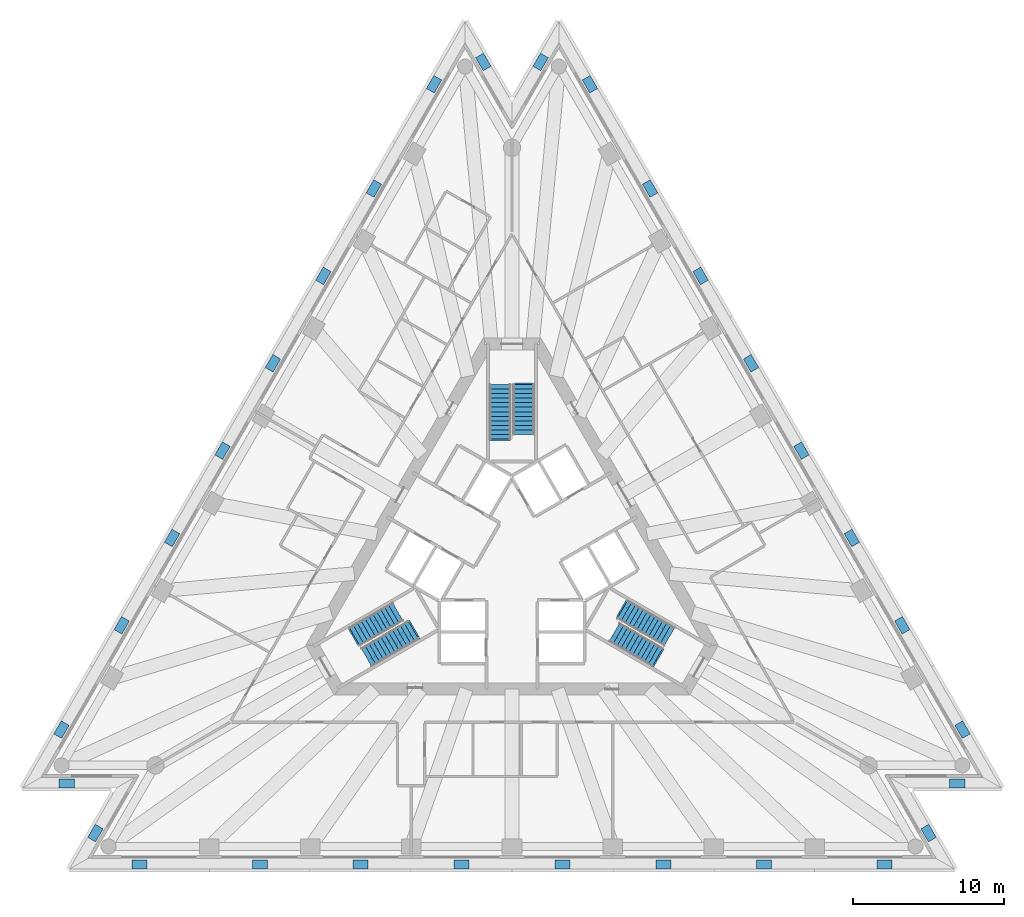
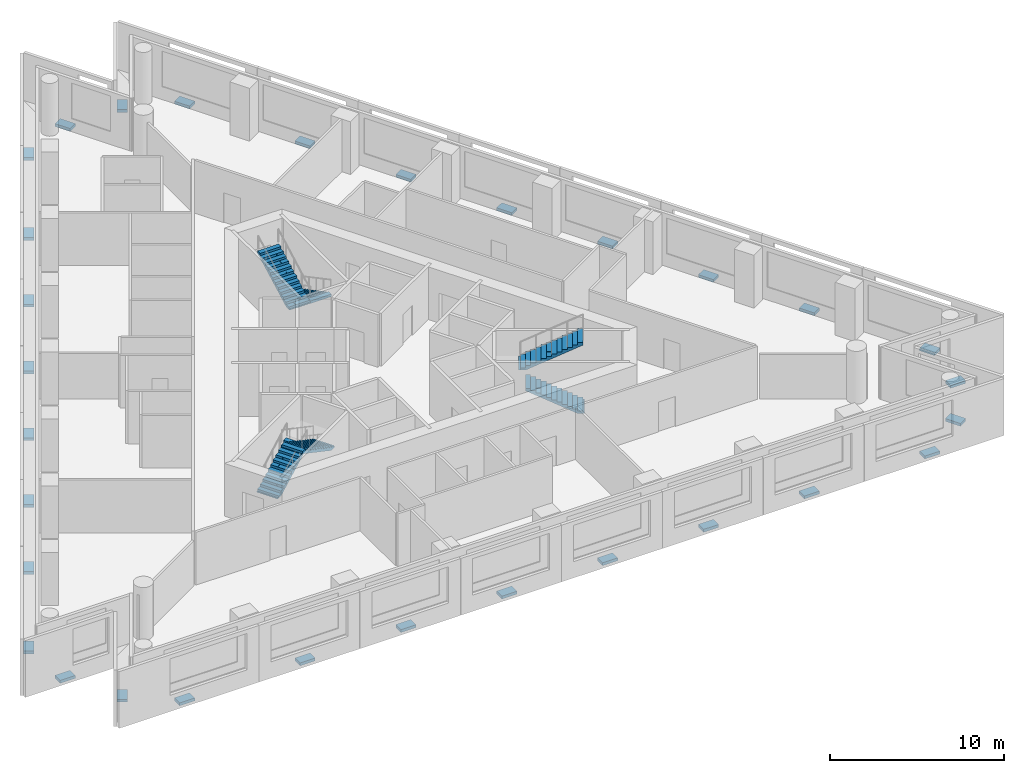
# One storey, part 7 of 9: 30 discrete accessories, 6 stair flights, 3 elements without a shape of their own.
"""IFC4 building model written with IfcOpenShell, lengths in metres."""

from ifc_helpers import new_model, si_unit, direction, frame, origin, origin_2d, place, context, subcontext, project, spatial, polyline, rectangle, outline, extrude, material, type_object, element, aggregate, save


model = new_model("IFC4")

# Units and contexts
model_context = context("Model", 3, precision=1e-05, world=origin(), true_north=direction((0.0, 1.0)))
body_context = subcontext(model_context, "Body", "Model", "MODEL_VIEW")
ifc_project = project(units=[si_unit("LENGTHUNIT", "METRE"), si_unit("AREAUNIT", "SQUARE_METRE"), si_unit("VOLUMEUNIT", "CUBIC_METRE"), si_unit("PLANEANGLEUNIT", "RADIAN"), si_unit("MASSUNIT", "GRAM", prefix="KILO")], contexts=[model_context])

# Site, building, storey
site_placement = place(None, origin())
site = spatial("IfcSite", under=ifc_project, at=site_placement, CompositionType="ELEMENT")
building_placement = place(site_placement, origin())
building = spatial("IfcBuilding", under=site, at=building_placement, Name="Triada Interchange Tower", CompositionType="ELEMENT")
storey_placement = place(building_placement, frame((0.0, 0.0, 140.300048828125)))
storey = spatial("IfcBuildingStorey", under=building, at=storey_placement, Name="L32", CompositionType="ELEMENT", Elevation=140.300048828125)

# Stair, stair flights
ifc_material_1 = material(Name="Concrete C35/45", Category="concrete")
stair_type = type_object("IfcStairType", Name="HALF TURN STAIR 1400", PredefinedType="HALF_TURN_STAIR", material=ifc_material_1)
stair_1_placement = place(storey_placement, origin())
stair_1 = element("IfcStair", 1, at=stair_1_placement, inside=storey, type_object=stair_type, Name="Exit stair S32-1", PredefinedType="HALF_TURN_STAIR")
stair_flight_type = type_object("IfcStairFlightType", Name="STRAIGHT STAIR FLIGHT 1400", PredefinedType="STRAIGHT", material=ifc_material_1)
stair_flight_1_placement = place(storey_placement, frame((0.800048828125, 11.60009765625, 0.0), z_axis=(0.0, 0.0, 1.0), x_axis=(0.0, -1.0, 0.0)))
stair_flight_1 = element("IfcStairFlight", 2, at=stair_flight_1_placement, type_object=stair_flight_type, Name="S32-1 flight 1", NumberOfRisers=12, NumberOfTreads=11, PredefinedType="STRAIGHT", RiserHeight=0.16, TreadLength=0.3, context=body_context, shape_type="SweptSolid", body=[
    extrude(outline(polyline([(-0.10009765625, 0.0), (-0.10009765625, 0.02001953125), (0.0, 0.02001953125), (0.0, 0.159912109375), (0.300048828125, 0.159912109375), (0.300048828125, 0.320068359375), (0.60009765625, 0.320068359375), (0.60009765625, 0.47998046875), (0.89990234375, 0.47998046875), (0.89990234375, 0.639892578125), (1.199951171875, 0.639892578125), (1.199951171875, 0.800048828125), (1.5, 0.800048828125), (1.5, 0.9599609375), (1.800048828125, 0.9599609375), (1.800048828125, 1.1201171875), (2.10009765625, 1.1201171875), (2.10009765625, 1.280029296875), (2.39990234375, 1.280029296875), (2.39990234375, 1.43994140625), (2.699951171875, 1.43994140625), (2.699951171875, 1.60009765625), (3.0, 1.60009765625), (3.0, 1.760009765625), (3.300048828125, 1.760009765625), (3.303955078125, 1.760009765625), (3.303955078125, 1.919921875), (3.303955078125, 1.590087890625), (0.318603515625, 0.0), (-0.10009765625, 0.0)])), frame((0.0, 0.699951171875, 0.0), z_axis=(0.0, -1.0, 0.0), x_axis=(1.0, 0.0, 0.0)), (0.0, 0.0, 1.0), 0.46533203125),
    extrude(outline(polyline([(-0.10009765625, 0.0), (-0.10009765625, 0.02001953125), (0.0, 0.02001953125), (0.0, 0.159912109375), (0.300048828125, 0.159912109375), (0.300048828125, 0.320068359375), (0.60009765625, 0.320068359375), (0.60009765625, 0.47998046875), (0.89990234375, 0.47998046875), (0.89990234375, 0.639892578125), (1.199951171875, 0.639892578125), (1.199951171875, 0.800048828125), (1.5, 0.800048828125), (1.5, 0.9599609375), (1.800048828125, 0.9599609375), (1.800048828125, 1.1201171875), (2.10009765625, 1.1201171875), (2.10009765625, 1.280029296875), (2.39990234375, 1.280029296875), (2.39990234375, 1.43994140625), (2.699951171875, 1.43994140625), (2.699951171875, 1.60009765625), (3.0, 1.60009765625), (3.0, 1.760009765625), (3.300048828125, 1.760009765625), (3.303955078125, 1.760009765625), (3.303955078125, 1.919921875), (3.303955078125, 1.590087890625), (0.318603515625, 0.0), (-0.10009765625, 0.0)])), frame((0.0, 0.232666015625, 0.0), z_axis=(0.0, -1.0, 0.0), x_axis=(1.0, 0.0, 0.0)), (0.0, 0.0, 1.0), 0.46533203125),
    extrude(outline(polyline([(-0.10009765625, 0.0), (-0.10009765625, 0.02001953125), (0.0, 0.02001953125), (0.0, 0.159912109375), (0.300048828125, 0.159912109375), (0.300048828125, 0.320068359375), (0.60009765625, 0.320068359375), (0.60009765625, 0.47998046875), (0.89990234375, 0.47998046875), (0.89990234375, 0.639892578125), (1.199951171875, 0.639892578125), (1.199951171875, 0.800048828125), (1.5, 0.800048828125), (1.5, 0.9599609375), (1.800048828125, 0.9599609375), (1.800048828125, 1.1201171875), (2.10009765625, 1.1201171875), (2.10009765625, 1.280029296875), (2.39990234375, 1.280029296875), (2.39990234375, 1.43994140625), (2.699951171875, 1.43994140625), (2.699951171875, 1.60009765625), (3.0, 1.60009765625), (3.0, 1.760009765625), (3.300048828125, 1.760009765625), (3.303955078125, 1.760009765625), (3.303955078125, 1.919921875), (3.303955078125, 1.590087890625), (0.318603515625, 0.0), (-0.10009765625, 0.0)])), frame((0.0, -0.234619140625, 0.0), z_axis=(0.0, -1.0, 0.0), x_axis=(1.0, 0.0, 0.0)), (0.0, 0.0, 1.0), 0.46533203125),
])
stair_flight_2_placement = place(storey_placement, frame((-0.800048828125, 8.0, 1.919921875), z_axis=(0.0, 0.0, 1.0), x_axis=(0.0, 1.0, 0.0)))
stair_flight_2 = element("IfcStairFlight", 3, at=stair_flight_2_placement, type_object=stair_flight_type, Name="S32-1 flight 2", NumberOfRisers=13, NumberOfTreads=12, PredefinedType="STRAIGHT", RiserHeight=0.16, TreadLength=0.3, context=body_context, shape_type="SweptSolid", body=[
    extrude(outline(polyline([(-0.10009765625, 0.0), (-0.10009765625, 0.02001953125), (0.0, 0.02001953125), (0.0, 0.159912109375), (0.300048828125, 0.159912109375), (0.300048828125, 0.320068359375), (0.60009765625, 0.320068359375), (0.60009765625, 0.47998046875), (0.89990234375, 0.47998046875), (0.89990234375, 0.639892578125), (1.199951171875, 0.639892578125), (1.199951171875, 0.800048828125), (1.5, 0.800048828125), (1.5, 0.9599609375), (1.800048828125, 0.9599609375), (1.800048828125, 1.1201171875), (2.10009765625, 1.1201171875), (2.10009765625, 1.280029296875), (2.39990234375, 1.280029296875), (2.39990234375, 1.43994140625), (2.699951171875, 1.43994140625), (2.699951171875, 1.60009765625), (3.0, 1.60009765625), (3.0, 1.760009765625), (3.300048828125, 1.760009765625), (3.300048828125, 1.919921875), (3.60009765625, 1.919921875), (3.60400390625, 1.919921875), (3.60400390625, 2.080078125), (3.60400390625, 1.75), (0.318603515625, 0.0), (-0.10009765625, 0.0)])), frame((0.0, 0.699951171875, 0.0), z_axis=(0.0, -1.0, 0.0), x_axis=(1.0, 0.0, 0.0)), (0.0, 0.0, 1.0), 0.46533203125),
    extrude(outline(polyline([(-0.10009765625, 0.0), (-0.10009765625, 0.02001953125), (0.0, 0.02001953125), (0.0, 0.159912109375), (0.300048828125, 0.159912109375), (0.300048828125, 0.320068359375), (0.60009765625, 0.320068359375), (0.60009765625, 0.47998046875), (0.89990234375, 0.47998046875), (0.89990234375, 0.639892578125), (1.199951171875, 0.639892578125), (1.199951171875, 0.800048828125), (1.5, 0.800048828125), (1.5, 0.9599609375), (1.800048828125, 0.9599609375), (1.800048828125, 1.1201171875), (2.10009765625, 1.1201171875), (2.10009765625, 1.280029296875), (2.39990234375, 1.280029296875), (2.39990234375, 1.43994140625), (2.699951171875, 1.43994140625), (2.699951171875, 1.60009765625), (3.0, 1.60009765625), (3.0, 1.760009765625), (3.300048828125, 1.760009765625), (3.300048828125, 1.919921875), (3.60009765625, 1.919921875), (3.60400390625, 1.919921875), (3.60400390625, 2.080078125), (3.60400390625, 1.75), (0.318603515625, 0.0), (-0.10009765625, 0.0)])), frame((0.0, 0.232666015625, 0.0), z_axis=(0.0, -1.0, 0.0), x_axis=(1.0, 0.0, 0.0)), (0.0, 0.0, 1.0), 0.46533203125),
    extrude(outline(polyline([(-0.10009765625, 0.0), (-0.10009765625, 0.02001953125), (0.0, 0.02001953125), (0.0, 0.159912109375), (0.300048828125, 0.159912109375), (0.300048828125, 0.320068359375), (0.60009765625, 0.320068359375), (0.60009765625, 0.47998046875), (0.89990234375, 0.47998046875), (0.89990234375, 0.639892578125), (1.199951171875, 0.639892578125), (1.199951171875, 0.800048828125), (1.5, 0.800048828125), (1.5, 0.9599609375), (1.800048828125, 0.9599609375), (1.800048828125, 1.1201171875), (2.10009765625, 1.1201171875), (2.10009765625, 1.280029296875), (2.39990234375, 1.280029296875), (2.39990234375, 1.43994140625), (2.699951171875, 1.43994140625), (2.699951171875, 1.60009765625), (3.0, 1.60009765625), (3.0, 1.760009765625), (3.300048828125, 1.760009765625), (3.300048828125, 1.919921875), (3.60009765625, 1.919921875), (3.60400390625, 1.919921875), (3.60400390625, 2.080078125), (3.60400390625, 1.75), (0.318603515625, 0.0), (-0.10009765625, 0.0)])), frame((0.0, -0.234619140625, 0.0), z_axis=(0.0, -1.0, 0.0), x_axis=(1.0, 0.0, 0.0)), (0.0, 0.0, 1.0), 0.46533203125),
])
aggregate(stair_1, [stair_flight_1, stair_flight_2])

stair_2_placement = place(storey_placement, origin())
stair_2 = element("IfcStair", 4, at=stair_2_placement, inside=storey, type_object=stair_type, Name="Exit stair S32-2", PredefinedType="HALF_TURN_STAIR")
stair_flight_3_placement = place(storey_placement, frame((-10.446044921875, -5.10693359375, 0.0), z_axis=(0.0, 0.0, 1.0), x_axis=(0.866025403784, 0.5, 0.0)))
stair_flight_3 = element("IfcStairFlight", 5, at=stair_flight_3_placement, type_object=stair_flight_type, Name="S32-2 flight 1", NumberOfRisers=12, NumberOfTreads=11, PredefinedType="STRAIGHT", RiserHeight=0.16, TreadLength=0.3, context=body_context, shape_type="SweptSolid", body=[
    extrude(outline(polyline([(-0.10009765625, 0.0), (-0.10009765625, 0.02001953125), (0.0, 0.02001953125), (0.0, 0.159912109375), (0.300048828125, 0.159912109375), (0.300048828125, 0.320068359375), (0.60009765625, 0.320068359375), (0.60009765625, 0.47998046875), (0.89990234375, 0.47998046875), (0.89990234375, 0.639892578125), (1.199951171875, 0.639892578125), (1.199951171875, 0.800048828125), (1.5, 0.800048828125), (1.5, 0.9599609375), (1.800048828125, 0.9599609375), (1.800048828125, 1.1201171875), (2.10009765625, 1.1201171875), (2.10009765625, 1.280029296875), (2.39990234375, 1.280029296875), (2.39990234375, 1.43994140625), (2.699951171875, 1.43994140625), (2.699951171875, 1.60009765625), (3.0, 1.60009765625), (3.0, 1.760009765625), (3.300048828125, 1.760009765625), (3.303955078125, 1.760009765625), (3.303955078125, 1.919921875), (3.303955078125, 1.590087890625), (0.318603515625, 0.0), (-0.10009765625, 0.0)])), frame((0.0, 0.699951171875, 0.0), z_axis=(0.0, -1.0, 0.0), x_axis=(1.0, 0.0, 0.0)), (0.0, 0.0, 1.0), 0.46533203125),
    extrude(outline(polyline([(-0.10009765625, 0.0), (-0.10009765625, 0.02001953125), (0.0, 0.02001953125), (0.0, 0.159912109375), (0.300048828125, 0.159912109375), (0.300048828125, 0.320068359375), (0.60009765625, 0.320068359375), (0.60009765625, 0.47998046875), (0.89990234375, 0.47998046875), (0.89990234375, 0.639892578125), (1.199951171875, 0.639892578125), (1.199951171875, 0.800048828125), (1.5, 0.800048828125), (1.5, 0.9599609375), (1.800048828125, 0.9599609375), (1.800048828125, 1.1201171875), (2.10009765625, 1.1201171875), (2.10009765625, 1.280029296875), (2.39990234375, 1.280029296875), (2.39990234375, 1.43994140625), (2.699951171875, 1.43994140625), (2.699951171875, 1.60009765625), (3.0, 1.60009765625), (3.0, 1.760009765625), (3.300048828125, 1.760009765625), (3.303955078125, 1.760009765625), (3.303955078125, 1.919921875), (3.303955078125, 1.590087890625), (0.318603515625, 0.0), (-0.10009765625, 0.0)])), frame((0.0, 0.232666015625, 0.0), z_axis=(0.0, -1.0, 0.0), x_axis=(1.0, 0.0, 0.0)), (0.0, 0.0, 1.0), 0.46533203125),
    extrude(outline(polyline([(-0.10009765625, 0.0), (-0.10009765625, 0.02001953125), (0.0, 0.02001953125), (0.0, 0.159912109375), (0.300048828125, 0.159912109375), (0.300048828125, 0.320068359375), (0.60009765625, 0.320068359375), (0.60009765625, 0.47998046875), (0.89990234375, 0.47998046875), (0.89990234375, 0.639892578125), (1.199951171875, 0.639892578125), (1.199951171875, 0.800048828125), (1.5, 0.800048828125), (1.5, 0.9599609375), (1.800048828125, 0.9599609375), (1.800048828125, 1.1201171875), (2.10009765625, 1.1201171875), (2.10009765625, 1.280029296875), (2.39990234375, 1.280029296875), (2.39990234375, 1.43994140625), (2.699951171875, 1.43994140625), (2.699951171875, 1.60009765625), (3.0, 1.60009765625), (3.0, 1.760009765625), (3.300048828125, 1.760009765625), (3.303955078125, 1.760009765625), (3.303955078125, 1.919921875), (3.303955078125, 1.590087890625), (0.318603515625, 0.0), (-0.10009765625, 0.0)])), frame((0.0, -0.234619140625, 0.0), z_axis=(0.0, -1.0, 0.0), x_axis=(1.0, 0.0, 0.0)), (0.0, 0.0, 1.0), 0.46533203125),
])
stair_flight_4_placement = place(storey_placement, frame((-6.528076171875, -4.693115234375, 1.919921875), z_axis=(0.0, 0.0, 1.0), x_axis=(-0.866025403784, -0.5, 0.0)))
stair_flight_4 = element("IfcStairFlight", 6, at=stair_flight_4_placement, type_object=stair_flight_type, Name="S32-2 flight 2", NumberOfRisers=13, NumberOfTreads=12, PredefinedType="STRAIGHT", RiserHeight=0.16, TreadLength=0.3, context=body_context, shape_type="SweptSolid", body=[
    extrude(outline(polyline([(-0.10009765625, 0.0), (-0.10009765625, 0.02001953125), (0.0, 0.02001953125), (0.0, 0.159912109375), (0.300048828125, 0.159912109375), (0.300048828125, 0.320068359375), (0.60009765625, 0.320068359375), (0.60009765625, 0.47998046875), (0.89990234375, 0.47998046875), (0.89990234375, 0.639892578125), (1.199951171875, 0.639892578125), (1.199951171875, 0.800048828125), (1.5, 0.800048828125), (1.5, 0.9599609375), (1.800048828125, 0.9599609375), (1.800048828125, 1.1201171875), (2.10009765625, 1.1201171875), (2.10009765625, 1.280029296875), (2.39990234375, 1.280029296875), (2.39990234375, 1.43994140625), (2.699951171875, 1.43994140625), (2.699951171875, 1.60009765625), (3.0, 1.60009765625), (3.0, 1.760009765625), (3.300048828125, 1.760009765625), (3.300048828125, 1.919921875), (3.60009765625, 1.919921875), (3.60400390625, 1.919921875), (3.60400390625, 2.080078125), (3.60400390625, 1.75), (0.318603515625, 0.0), (-0.10009765625, 0.0)])), frame((0.0, 0.699951171875, 0.0), z_axis=(0.0, -1.0, 0.0), x_axis=(1.0, 0.0, 0.0)), (0.0, 0.0, 1.0), 0.46533203125),
    extrude(outline(polyline([(-0.10009765625, 0.0), (-0.10009765625, 0.02001953125), (0.0, 0.02001953125), (0.0, 0.159912109375), (0.300048828125, 0.159912109375), (0.300048828125, 0.320068359375), (0.60009765625, 0.320068359375), (0.60009765625, 0.47998046875), (0.89990234375, 0.47998046875), (0.89990234375, 0.639892578125), (1.199951171875, 0.639892578125), (1.199951171875, 0.800048828125), (1.5, 0.800048828125), (1.5, 0.9599609375), (1.800048828125, 0.9599609375), (1.800048828125, 1.1201171875), (2.10009765625, 1.1201171875), (2.10009765625, 1.280029296875), (2.39990234375, 1.280029296875), (2.39990234375, 1.43994140625), (2.699951171875, 1.43994140625), (2.699951171875, 1.60009765625), (3.0, 1.60009765625), (3.0, 1.760009765625), (3.300048828125, 1.760009765625), (3.300048828125, 1.919921875), (3.60009765625, 1.919921875), (3.60400390625, 1.919921875), (3.60400390625, 2.080078125), (3.60400390625, 1.75), (0.318603515625, 0.0), (-0.10009765625, 0.0)])), frame((0.0, 0.232666015625, 0.0), z_axis=(0.0, -1.0, 0.0), x_axis=(1.0, 0.0, 0.0)), (0.0, 0.0, 1.0), 0.46533203125),
    extrude(outline(polyline([(-0.10009765625, 0.0), (-0.10009765625, 0.02001953125), (0.0, 0.02001953125), (0.0, 0.159912109375), (0.300048828125, 0.159912109375), (0.300048828125, 0.320068359375), (0.60009765625, 0.320068359375), (0.60009765625, 0.47998046875), (0.89990234375, 0.47998046875), (0.89990234375, 0.639892578125), (1.199951171875, 0.639892578125), (1.199951171875, 0.800048828125), (1.5, 0.800048828125), (1.5, 0.9599609375), (1.800048828125, 0.9599609375), (1.800048828125, 1.1201171875), (2.10009765625, 1.1201171875), (2.10009765625, 1.280029296875), (2.39990234375, 1.280029296875), (2.39990234375, 1.43994140625), (2.699951171875, 1.43994140625), (2.699951171875, 1.60009765625), (3.0, 1.60009765625), (3.0, 1.760009765625), (3.300048828125, 1.760009765625), (3.300048828125, 1.919921875), (3.60009765625, 1.919921875), (3.60400390625, 1.919921875), (3.60400390625, 2.080078125), (3.60400390625, 1.75), (0.318603515625, 0.0), (-0.10009765625, 0.0)])), frame((0.0, -0.234619140625, 0.0), z_axis=(0.0, -1.0, 0.0), x_axis=(1.0, 0.0, 0.0)), (0.0, 0.0, 1.0), 0.46533203125),
])
aggregate(stair_2, [stair_flight_3, stair_flight_4])

stair_3_placement = place(storey_placement, origin())
stair_3 = element("IfcStair", 7, at=stair_3_placement, inside=storey, type_object=stair_type, Name="Exit stair S32-3", PredefinedType="HALF_TURN_STAIR")
stair_flight_5_placement = place(storey_placement, frame((9.64599609375, -6.492919921875, 0.0), z_axis=(0.0, 0.0, 1.0), x_axis=(-0.866025403784, 0.5, 0.0)))
stair_flight_5 = element("IfcStairFlight", 8, at=stair_flight_5_placement, type_object=stair_flight_type, Name="S32-3 flight 1", NumberOfRisers=12, NumberOfTreads=11, PredefinedType="STRAIGHT", RiserHeight=0.16, TreadLength=0.3, context=body_context, shape_type="SweptSolid", body=[
    extrude(outline(polyline([(-0.10009765625, 0.0), (-0.10009765625, 0.02001953125), (0.0, 0.02001953125), (0.0, 0.159912109375), (0.300048828125, 0.159912109375), (0.300048828125, 0.320068359375), (0.60009765625, 0.320068359375), (0.60009765625, 0.47998046875), (0.89990234375, 0.47998046875), (0.89990234375, 0.639892578125), (1.199951171875, 0.639892578125), (1.199951171875, 0.800048828125), (1.5, 0.800048828125), (1.5, 0.9599609375), (1.800048828125, 0.9599609375), (1.800048828125, 1.1201171875), (2.10009765625, 1.1201171875), (2.10009765625, 1.280029296875), (2.39990234375, 1.280029296875), (2.39990234375, 1.43994140625), (2.699951171875, 1.43994140625), (2.699951171875, 1.60009765625), (3.0, 1.60009765625), (3.0, 1.760009765625), (3.300048828125, 1.760009765625), (3.303955078125, 1.760009765625), (3.303955078125, 1.919921875), (3.303955078125, 1.590087890625), (0.318603515625, 0.0), (-0.10009765625, 0.0)])), frame((0.0, 0.699951171875, 0.0), z_axis=(0.0, -1.0, 0.0), x_axis=(1.0, 0.0, 0.0)), (0.0, 0.0, 1.0), 0.46533203125),
    extrude(outline(polyline([(-0.10009765625, 0.0), (-0.10009765625, 0.02001953125), (0.0, 0.02001953125), (0.0, 0.159912109375), (0.300048828125, 0.159912109375), (0.300048828125, 0.320068359375), (0.60009765625, 0.320068359375), (0.60009765625, 0.47998046875), (0.89990234375, 0.47998046875), (0.89990234375, 0.639892578125), (1.199951171875, 0.639892578125), (1.199951171875, 0.800048828125), (1.5, 0.800048828125), (1.5, 0.9599609375), (1.800048828125, 0.9599609375), (1.800048828125, 1.1201171875), (2.10009765625, 1.1201171875), (2.10009765625, 1.280029296875), (2.39990234375, 1.280029296875), (2.39990234375, 1.43994140625), (2.699951171875, 1.43994140625), (2.699951171875, 1.60009765625), (3.0, 1.60009765625), (3.0, 1.760009765625), (3.300048828125, 1.760009765625), (3.303955078125, 1.760009765625), (3.303955078125, 1.919921875), (3.303955078125, 1.590087890625), (0.318603515625, 0.0), (-0.10009765625, 0.0)])), frame((0.0, 0.232666015625, 0.0), z_axis=(0.0, -1.0, 0.0), x_axis=(1.0, 0.0, 0.0)), (0.0, 0.0, 1.0), 0.46533203125),
    extrude(outline(polyline([(-0.10009765625, 0.0), (-0.10009765625, 0.02001953125), (0.0, 0.02001953125), (0.0, 0.159912109375), (0.300048828125, 0.159912109375), (0.300048828125, 0.320068359375), (0.60009765625, 0.320068359375), (0.60009765625, 0.47998046875), (0.89990234375, 0.47998046875), (0.89990234375, 0.639892578125), (1.199951171875, 0.639892578125), (1.199951171875, 0.800048828125), (1.5, 0.800048828125), (1.5, 0.9599609375), (1.800048828125, 0.9599609375), (1.800048828125, 1.1201171875), (2.10009765625, 1.1201171875), (2.10009765625, 1.280029296875), (2.39990234375, 1.280029296875), (2.39990234375, 1.43994140625), (2.699951171875, 1.43994140625), (2.699951171875, 1.60009765625), (3.0, 1.60009765625), (3.0, 1.760009765625), (3.300048828125, 1.760009765625), (3.303955078125, 1.760009765625), (3.303955078125, 1.919921875), (3.303955078125, 1.590087890625), (0.318603515625, 0.0), (-0.10009765625, 0.0)])), frame((0.0, -0.234619140625, 0.0), z_axis=(0.0, -1.0, 0.0), x_axis=(1.0, 0.0, 0.0)), (0.0, 0.0, 1.0), 0.46533203125),
])
stair_flight_6_placement = place(storey_placement, frame((7.327880859375, -3.306884765625, 1.919921875), z_axis=(0.0, 0.0, 1.0), x_axis=(0.866025403784, -0.5, 0.0)))
stair_flight_6 = element("IfcStairFlight", 9, at=stair_flight_6_placement, type_object=stair_flight_type, Name="S32-3 flight 2", NumberOfRisers=13, NumberOfTreads=12, PredefinedType="STRAIGHT", RiserHeight=0.16, TreadLength=0.3, context=body_context, shape_type="SweptSolid", body=[
    extrude(outline(polyline([(-0.10009765625, 0.0), (-0.10009765625, 0.02001953125), (0.0, 0.02001953125), (0.0, 0.159912109375), (0.300048828125, 0.159912109375), (0.300048828125, 0.320068359375), (0.60009765625, 0.320068359375), (0.60009765625, 0.47998046875), (0.89990234375, 0.47998046875), (0.89990234375, 0.639892578125), (1.199951171875, 0.639892578125), (1.199951171875, 0.800048828125), (1.5, 0.800048828125), (1.5, 0.9599609375), (1.800048828125, 0.9599609375), (1.800048828125, 1.1201171875), (2.10009765625, 1.1201171875), (2.10009765625, 1.280029296875), (2.39990234375, 1.280029296875), (2.39990234375, 1.43994140625), (2.699951171875, 1.43994140625), (2.699951171875, 1.60009765625), (3.0, 1.60009765625), (3.0, 1.760009765625), (3.300048828125, 1.760009765625), (3.300048828125, 1.919921875), (3.60009765625, 1.919921875), (3.60400390625, 1.919921875), (3.60400390625, 2.080078125), (3.60400390625, 1.75), (0.318603515625, 0.0), (-0.10009765625, 0.0)])), frame((0.0, 0.699951171875, 0.0), z_axis=(0.0, -1.0, 0.0), x_axis=(1.0, 0.0, 0.0)), (0.0, 0.0, 1.0), 0.46533203125),
    extrude(outline(polyline([(-0.10009765625, 0.0), (-0.10009765625, 0.02001953125), (0.0, 0.02001953125), (0.0, 0.159912109375), (0.300048828125, 0.159912109375), (0.300048828125, 0.320068359375), (0.60009765625, 0.320068359375), (0.60009765625, 0.47998046875), (0.89990234375, 0.47998046875), (0.89990234375, 0.639892578125), (1.199951171875, 0.639892578125), (1.199951171875, 0.800048828125), (1.5, 0.800048828125), (1.5, 0.9599609375), (1.800048828125, 0.9599609375), (1.800048828125, 1.1201171875), (2.10009765625, 1.1201171875), (2.10009765625, 1.280029296875), (2.39990234375, 1.280029296875), (2.39990234375, 1.43994140625), (2.699951171875, 1.43994140625), (2.699951171875, 1.60009765625), (3.0, 1.60009765625), (3.0, 1.760009765625), (3.300048828125, 1.760009765625), (3.300048828125, 1.919921875), (3.60009765625, 1.919921875), (3.60400390625, 1.919921875), (3.60400390625, 2.080078125), (3.60400390625, 1.75), (0.318603515625, 0.0), (-0.10009765625, 0.0)])), frame((0.0, 0.232666015625, 0.0), z_axis=(0.0, -1.0, 0.0), x_axis=(1.0, 0.0, 0.0)), (0.0, 0.0, 1.0), 0.46533203125),
    extrude(outline(polyline([(-0.10009765625, 0.0), (-0.10009765625, 0.02001953125), (0.0, 0.02001953125), (0.0, 0.159912109375), (0.300048828125, 0.159912109375), (0.300048828125, 0.320068359375), (0.60009765625, 0.320068359375), (0.60009765625, 0.47998046875), (0.89990234375, 0.47998046875), (0.89990234375, 0.639892578125), (1.199951171875, 0.639892578125), (1.199951171875, 0.800048828125), (1.5, 0.800048828125), (1.5, 0.9599609375), (1.800048828125, 0.9599609375), (1.800048828125, 1.1201171875), (2.10009765625, 1.1201171875), (2.10009765625, 1.280029296875), (2.39990234375, 1.280029296875), (2.39990234375, 1.43994140625), (2.699951171875, 1.43994140625), (2.699951171875, 1.60009765625), (3.0, 1.60009765625), (3.0, 1.760009765625), (3.300048828125, 1.760009765625), (3.300048828125, 1.919921875), (3.60009765625, 1.919921875), (3.60400390625, 1.919921875), (3.60400390625, 2.080078125), (3.60400390625, 1.75), (0.318603515625, 0.0), (-0.10009765625, 0.0)])), frame((0.0, -0.234619140625, 0.0), z_axis=(0.0, -1.0, 0.0), x_axis=(1.0, 0.0, 0.0)), (0.0, 0.0, 1.0), 0.46533203125),
])
aggregate(stair_3, [stair_flight_5, stair_flight_6])

# Discrete accessories
ifc_material_2 = material(Name="Steel S355", Category="steel")
discrete_accessory_type = type_object("IfcDiscreteAccessoryType", Name="Steel bracket outer skin", PredefinedType="BRACKET", material=ifc_material_2)
for number, where, z_axis, x_axis, name in (
    (10, (-5.169921875, 31.52197265625, -0.27001953125), (0.0, 0.0, 1.0), (-0.866021223691, 0.500007240065, 0.0), "Bracket L32 01"),
    (11, (-9.1650390625, 24.60400390625, -0.27001953125), (0.0, 0.0, 1.0), (-0.866021223691, 0.500007240065, 0.0), "Bracket L32 02"),
    (12, (-12.510009765625, 18.81005859375, -0.27001953125), (0.0, 0.0, 1.0), (-0.866021223691, 0.500007240065, 0.0), "Bracket L32 03"),
    (13, (-15.85498046875, 13.01611328125, -0.27001953125), (0.0, 0.0, 1.0), (-0.866021223691, 0.500007240065, 0.0), "Bracket L32 04"),
    (14, (-19.199951171875, 7.222900390625, -0.27001953125), (0.0, 0.0, 1.0), (-0.866021223691, 0.500007240065, 0.0), "Bracket L32 05"),
    (15, (-22.544921875, 1.428955078125, -0.27001953125), (0.0, 0.0, 1.0), (-0.866021223691, 0.500007240065, 0.0), "Bracket L32 06"),
    (16, (-25.889892578125, -4.364990234375, -0.27001953125), (0.0, 0.0, 1.0), (-0.866021223691, 0.500007240065, 0.0), "Bracket L32 07"),
    (17, (-29.884033203125, -11.282958984375, -0.27001953125), (0.0, 0.0, 1.0), (-0.866021223691, 0.500007240065, 0.0), "Bracket L32 08"),
    (18, (-29.531982421875, -14.85498046875, -0.27001953125), (0.0, 0.0, 1.0), (0.0, -1.0, 0.0), "Bracket L32 09"),
    (19, (-27.631103515625, -18.14697265625, -0.27001953125), (0.0, 0.0, 1.0), (-0.866057009967, 0.49994525249, 0.0), "Bracket L32 10"),
    (20, (-24.714111328125, -20.239013671875, -0.27001953125), (0.0, 0.0, 1.0), (0.0, -1.0, 0.0), "Bracket L32 11"),
    (21, (-16.72509765625, -20.239013671875, -0.27001953125), (0.0, 0.0, 1.0), (0.0, -1.0, 0.0), "Bracket L32 12"),
    (22, (-10.034912109375, -20.239013671875, -0.27001953125), (0.0, 0.0, 1.0), (0.0, -1.0, 0.0), "Bracket L32 13"),
    (23, (-3.344970703125, -20.239013671875, -0.27001953125), (0.0, 0.0, 1.0), (0.0, -1.0, 0.0), "Bracket L32 14"),
    (24, (3.344970703125, -20.239013671875, -0.27001953125), (0.0, 0.0, 1.0), (0.0, -1.0, 0.0), "Bracket L32 15"),
    (25, (10.034912109375, -20.239013671875, -0.27001953125), (0.0, 0.0, 1.0), (0.0, -1.0, 0.0), "Bracket L32 16"),
    (26, (16.72509765625, -20.239013671875, -0.27001953125), (0.0, 0.0, 1.0), (0.0, -1.0, 0.0), "Bracket L32 17"),
    (27, (24.714111328125, -20.239013671875, -0.27001953125), (0.0, 0.0, 1.0), (0.0, -1.0, 0.0), "Bracket L32 18"),
    (28, (27.631103515625, -18.14697265625, -0.27001953125), (0.0, 0.0, 1.0), (0.866057009967, 0.49994525249, 0.0), "Bracket L32 19"),
    (29, (29.531982421875, -14.85498046875, -0.27001953125), (0.0, 0.0, 1.0), (0.0, -1.0, 0.0), "Bracket L32 20"),
    (30, (29.884033203125, -11.282958984375, -0.27001953125), (0.0, 0.0, 1.0), (0.866021223691, 0.500007240065, 0.0), "Bracket L32 21"),
    (31, (25.889892578125, -4.364990234375, -0.27001953125), (0.0, 0.0, 1.0), (0.866021223691, 0.500007240065, 0.0), "Bracket L32 22"),
    (32, (22.544921875, 1.428955078125, -0.27001953125), (0.0, 0.0, 1.0), (0.866021223691, 0.500007240065, 0.0), "Bracket L32 23"),
    (33, (19.199951171875, 7.222900390625, -0.27001953125), (0.0, 0.0, 1.0), (0.866021223691, 0.500007240065, 0.0), "Bracket L32 24"),
    (34, (15.85498046875, 13.01611328125, -0.27001953125), (0.0, 0.0, 1.0), (0.866021223691, 0.500007240065, 0.0), "Bracket L32 25"),
    (35, (12.510009765625, 18.81005859375, -0.27001953125), (0.0, 0.0, 1.0), (0.866021223691, 0.500007240065, 0.0), "Bracket L32 26"),
    (36, (9.1650390625, 24.60400390625, -0.27001953125), (0.0, 0.0, 1.0), (0.866021223691, 0.500007240065, 0.0), "Bracket L32 27"),
    (37, (5.169921875, 31.52197265625, -0.27001953125), (0.0, 0.0, 1.0), (0.866021223691, 0.500007240065, 0.0), "Bracket L32 28"),
    (38, (1.89990234375, 33.001953125, -0.27001953125), (0.0, 0.0, 1.0), (-0.866016799183, 0.500014903311, 0.0), "Bracket L32 29"),
    (39, (-1.89990234375, 33.001953125, -0.27001953125), (0.0, 0.0, 1.0), (0.866016799183, 0.500014903311, 0.0), "Bracket L32 30"),
):
    element("IfcDiscreteAccessory", number, at=place(storey_placement, frame(where, z_axis=z_axis, x_axis=x_axis)), inside=storey, type_object=discrete_accessory_type, Name=name, PredefinedType="BRACKET", context=body_context, shape_type="SweptSolid", body=[
        extrude(rectangle(XDim=0.60009765625, YDim=1.0, at=origin_2d()), origin(), (0.0, 0.0, 1.0), 0.199951171875),
    ])

save(model, "model.ifc")
